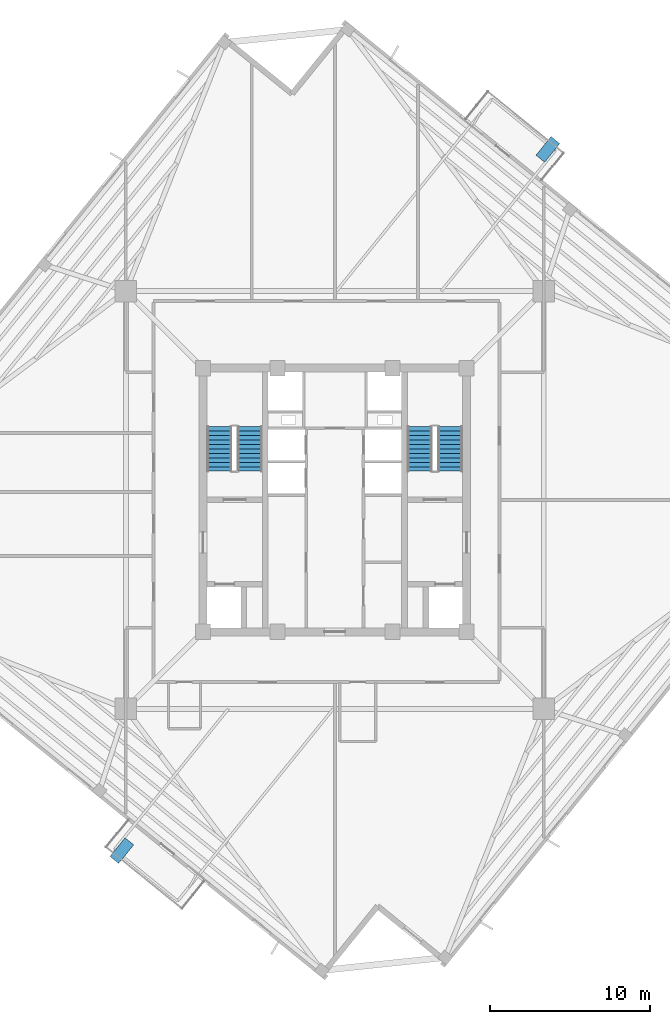
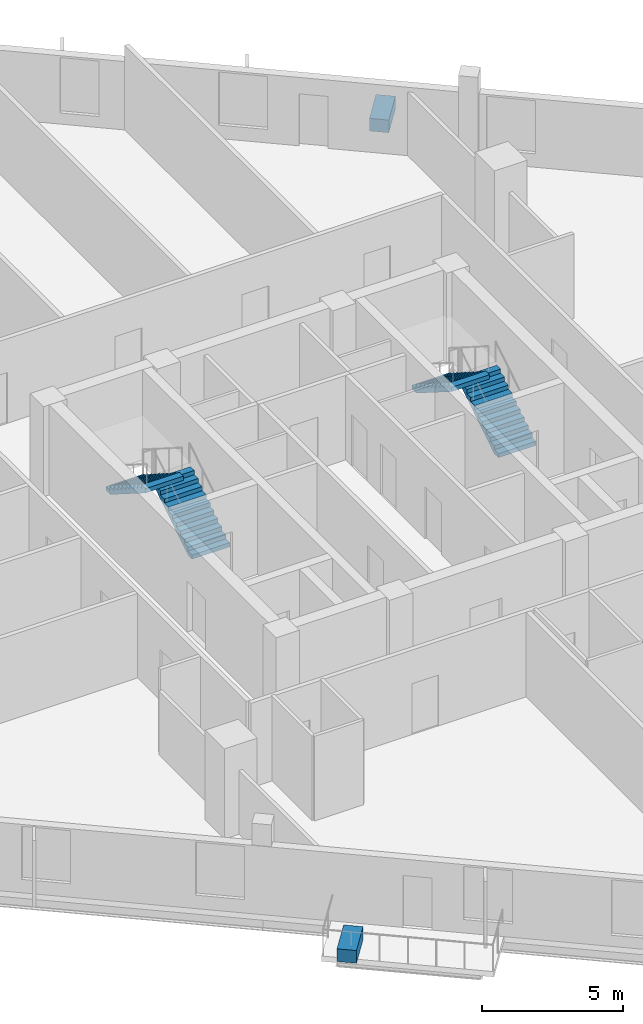
# One storey, part 6 of 10: 4 stair flights, 2 discrete accessories, 2 elements without a shape of their own.
"""IFC4 building model written with IfcOpenShell, lengths in metres."""

from ifc_helpers import new_model, si_unit, direction, frame, origin, origin_2d, place, context, subcontext, project, spatial, polyline, rectangle, outline, extrude, source, transform, mapped, material, type_object, element, aggregate, save


model = new_model("IFC4")

# Units and contexts
model_context = context("Model", 3, precision=1e-05, world=origin(), true_north=direction((0.0, 1.0)))
body_context = subcontext(model_context, "Body", "Model", "MODEL_VIEW")
ifc_project = project(units=[si_unit("LENGTHUNIT", "METRE"), si_unit("AREAUNIT", "SQUARE_METRE"), si_unit("VOLUMEUNIT", "CUBIC_METRE"), si_unit("PLANEANGLEUNIT", "RADIAN"), si_unit("MASSUNIT", "GRAM", prefix="KILO"), si_unit("THERMODYNAMICTEMPERATUREUNIT", "KELVIN")], contexts=[model_context])

# Site, building, storey
site_placement = place(None, origin())
site = spatial("IfcSite", under=ifc_project, at=site_placement, CompositionType="ELEMENT")
building_placement = place(site_placement, origin())
building = spatial("IfcBuilding", under=site, at=building_placement, Name="Kosmvard Interchange Tower", CompositionType="ELEMENT")
storey_placement = place(building_placement, frame((0.0, 0.0, 252.39990234375)))
storey = spatial("IfcBuildingStorey", under=building, at=storey_placement, Name="L61", CompositionType="ELEMENT", Elevation=252.39990234375)

# Stair, stair flights
ifc_material_1 = material(Name="Concrete C50/60", Category="concrete")
stair_type = type_object("IfcStairType", Name="Dog-Leg Core Exit Stair H3900 C50/60", PredefinedType="HALF_TURN_STAIR", material=ifc_material_1)
stair_1_placement = place(storey_placement, origin())
stair_1 = element("IfcStair", 1, at=stair_1_placement, inside=storey, type_object=stair_type, Name="L61 Protected Exit Stair ST-1", PredefinedType="HALF_TURN_STAIR")
stair_flight_type = type_object("IfcStairFlightType", Name="Core Stair Flight W1550 H3900 C50/60", PredefinedType="STRAIGHT", material=ifc_material_1)
shared_shape_1 = source(origin(), body_context, "Body", "SweptSolid", [
    extrude(outline(polyline([(0.0, 0.0), (0.0, 0.17724609375), (0.280029296875, 0.17724609375), (0.280029296875, 0.3544921875), (0.56005859375, 0.3544921875), (0.56005859375, 0.53173828125), (0.840087890625, 0.53173828125), (0.840087890625, 0.708984375), (1.1201171875, 0.708984375), (1.1201171875, 0.886474609375), (1.39990234375, 0.886474609375), (1.39990234375, 1.063720703125), (1.679931640625, 1.063720703125), (1.679931640625, 1.240966796875), (1.9599609375, 1.240966796875), (1.9599609375, 1.418212890625), (2.239990234375, 1.418212890625), (2.239990234375, 1.595458984375), (2.52001953125, 1.595458984375), (2.52001953125, 1.772705078125), (2.800048828125, 1.772705078125), (2.800048828125, 1.949951171875), (2.800048828125, 1.58349609375), (0.298828125, 0.0), (0.0, 0.0)])), frame((0.0, 0.77490234375, 0.0), z_axis=(0.0, -1.0, 0.0), x_axis=(1.0, 0.0, 0.0)), (0.0, 0.0, 1.0), 1.550048828125),
])
stair_flight_1_placement = place(storey_placement, frame((-5.31494140625, 1.800048828125, 0.0), z_axis=(0.0, 0.0, 1.0), x_axis=(0.0, 1.0, 0.0)))
stair_flight_1 = element("IfcStairFlight", 2, at=stair_flight_1_placement, type_object=stair_flight_type, Name="ST-1 flight 1", NumberOfRisers=11, NumberOfTreads=10, PredefinedType="STRAIGHT", RiserHeight=0.177272727, TreadLength=0.28, context=body_context, shape_type="MappedRepresentation", body=[
    mapped(shared_shape_1, transform((0.0, 0.0, 0.0), scale=1.0)),
])
stair_flight_2_placement = place(storey_placement, frame((-7.22509765625, 4.60009765625, 1.9501953125), z_axis=(0.0, 0.0, 1.0), x_axis=(0.0, -1.0, 0.0)))
stair_flight_2 = element("IfcStairFlight", 3, at=stair_flight_2_placement, type_object=stair_flight_type, Name="ST-1 flight 2", NumberOfRisers=11, NumberOfTreads=10, PredefinedType="STRAIGHT", RiserHeight=0.177272727, TreadLength=0.28, context=body_context, shape_type="MappedRepresentation", body=[
    mapped(shared_shape_1, transform((0.0, 0.0, 0.0), scale=1.0)),
])
aggregate(stair_1, [stair_flight_1, stair_flight_2])

stair_2_placement = place(storey_placement, origin())
stair_2 = element("IfcStair", 4, at=stair_2_placement, inside=storey, type_object=stair_type, Name="L61 Protected Exit Stair ST-2", PredefinedType="HALF_TURN_STAIR")
stair_flight_3_placement = place(storey_placement, frame((7.22509765625, 1.800048828125, 0.0), z_axis=(0.0, 0.0, 1.0), x_axis=(0.0, 1.0, 0.0)))
stair_flight_3 = element("IfcStairFlight", 5, at=stair_flight_3_placement, type_object=stair_flight_type, Name="ST-2 flight 1", NumberOfRisers=11, NumberOfTreads=10, PredefinedType="STRAIGHT", RiserHeight=0.177272727, TreadLength=0.28, context=body_context, shape_type="MappedRepresentation", body=[
    mapped(shared_shape_1, transform((0.0, 0.0, 0.0), scale=1.0)),
])
stair_flight_4_placement = place(storey_placement, frame((5.31494140625, 4.60009765625, 1.9501953125), z_axis=(0.0, 0.0, 1.0), x_axis=(0.0, -1.0, 0.0)))
stair_flight_4 = element("IfcStairFlight", 6, at=stair_flight_4_placement, type_object=stair_flight_type, Name="ST-2 flight 2", NumberOfRisers=11, NumberOfTreads=10, PredefinedType="STRAIGHT", RiserHeight=0.177272727, TreadLength=0.28, context=body_context, shape_type="MappedRepresentation", body=[
    mapped(shared_shape_1, transform((0.0, 0.0, 0.0), scale=1.0)),
])
aggregate(stair_2, [stair_flight_3, stair_flight_4])

# Discrete accessories
ifc_material_2 = material(Name="Terracotta precast planter concrete C45/55", Category="masonry")
discrete_accessory_type = type_object("IfcDiscreteAccessoryType", Name="Precast Tree-Balcony & Terrace Planter Box", PredefinedType="USERDEFINED", material=ifc_material_2)
shared_shape_2 = source(origin(), body_context, "Body", "SweptSolid", [
    extrude(rectangle(XDim=1.5, YDim=0.699951171875, at=origin_2d()), origin(), (0.0, 0.0, 1.0), 0.550048828125),
])
for number, where, z_axis, x_axis, name in (
    (7, (13.3349609375, 21.949462890625, 0.0), (0.0, 0.0, 1.0), (0.62932039105, 0.777145961457, 0.0), "L61 Balcony Tree Planter BAL-L61-E"),
    (8, (-13.3349609375, -21.949462890625, 0.0), (0.0, 0.0, 1.0), (0.62932039105, 0.777145961457, 0.0), "L61 Balcony Tree Planter BAL-L61-W"),
):
    element("IfcDiscreteAccessory", number, at=place(storey_placement, frame(where, z_axis=z_axis, x_axis=x_axis)), inside=storey, type_object=discrete_accessory_type, Name=name, ObjectType="PLANTER", PredefinedType="USERDEFINED", context=body_context, shape_type="MappedRepresentation", body=[
        mapped(shared_shape_2, transform((0.0, 0.0, 0.0), scale=1.0)),
    ])

save(model, "model.ifc")
